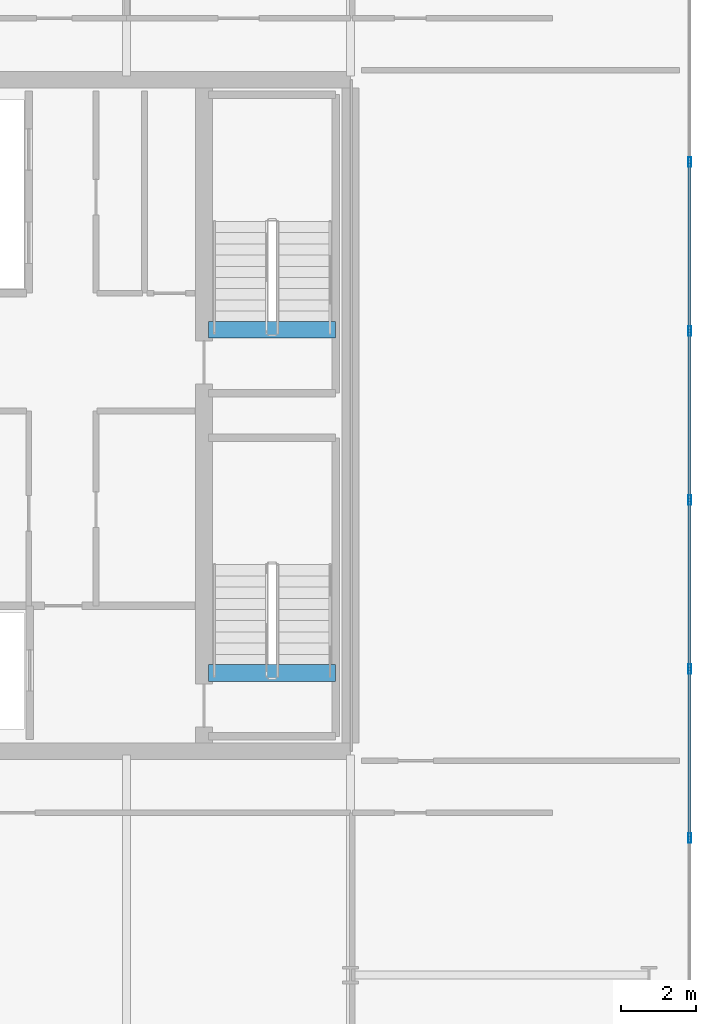
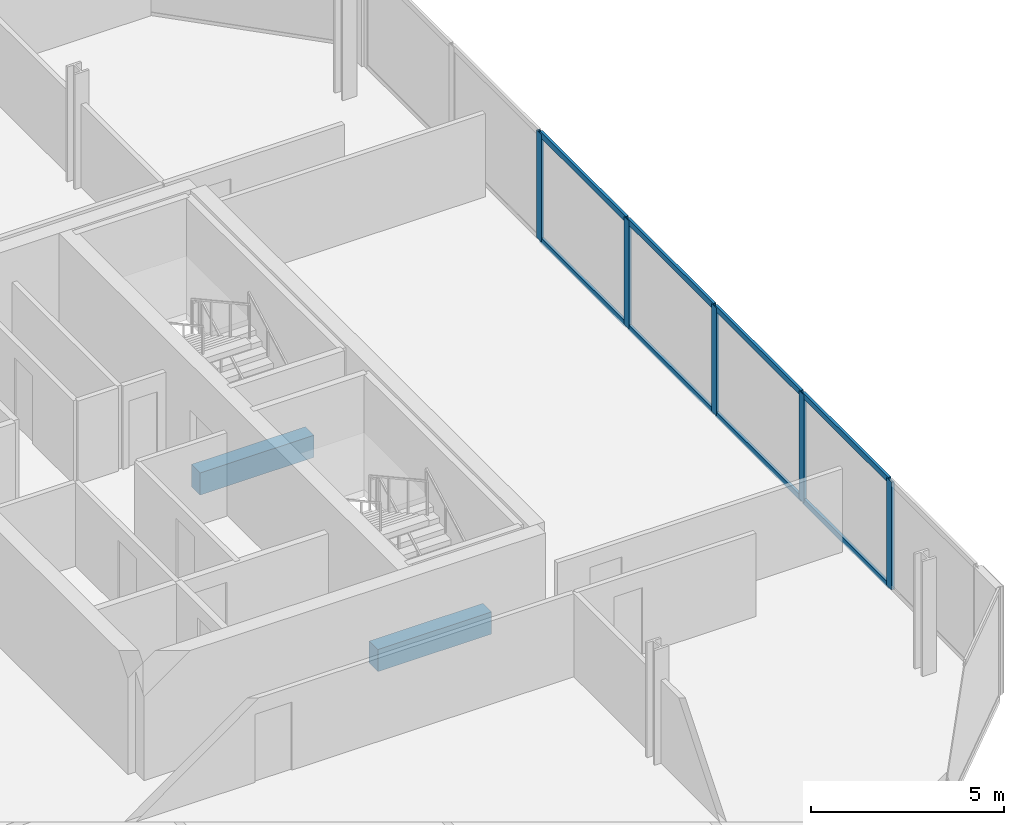
# One storey, part 8 of 17: 13 members, 2 beams, 1 element without a shape of its own.
"""IFC4 building model written with IfcOpenShell, lengths in metres."""

import ifcopenshell
import ifcopenshell.guid

model = None  # the IFC model being written
_history = None  # IfcOwnerHistory: only IFC2X3 demands one
_inside = {}  # id of a spatial element -> (the spatial element, [elements in it])
_under = {}  # id of a project, library or spatial element -> (it, [spatial elements below it])
_declared = {}  # id of a project -> (the project, [libraries it declares])
_typed = {}  # id of a type object -> (the type object, [elements of that type])
_made_of = {}  # id of a material, layer set ... -> (it, [elements and type objects made of it])


def new_model(schema):
    """Start an empty IFC model of exactly this schema.

    Asked for "IFC4X3", IfcOpenShell would pick the latest addendum, in which some entities
    have other attributes; the version numbers below select the first issue.
    IFC2X3 requires an IfcOwnerHistory on every rooted entity: one is made here for all.
    """
    global model, _history
    if schema == "IFC4X3":
        model = ifcopenshell.file(schema_version=(4, 3, 0, 0))
    else:
        model = ifcopenshell.file(schema=schema)
    _inside.clear()
    _under.clear()
    _declared.clear()
    _typed.clear()
    _made_of.clear()
    _history = None
    if model.schema == "IFC2X3":
        org = make("IfcOrganization", Name="unknown")
        user = make(
            "IfcPersonAndOrganization",
            ThePerson=make("IfcPerson", FamilyName="unknown"),
            TheOrganization=org,
        )
        app = make(
            "IfcApplication",
            ApplicationDeveloper=org,
            Version="unknown",
            ApplicationFullName="unknown",
            ApplicationIdentifier="unknown",
        )
        _history = make(
            "IfcOwnerHistory",
            OwningUser=user,
            OwningApplication=app,
            ChangeAction="ADDED",
            CreationDate=0,
        )
    return model


def make(cls, **values):
    """One entity of the class cls with the attributes given. An attribute that is None is left unset."""
    return model.create_entity(
        cls, **{name: value for name, value in values.items() if value is not None}
    )


def rooted(cls, **values):
    """An entity with a GlobalId (a new one), such as an element, a storey or a relation."""
    return make(cls, GlobalId=ifcopenshell.guid.new(), OwnerHistory=_history, **values)


def si_unit(unit_type, name, prefix=None):
    """IfcSIUnit, for example si_unit("LENGTHUNIT", "METRE", prefix="MILLI")."""
    return make("IfcSIUnit", UnitType=unit_type, Prefix=prefix, Name=name)


def assignment(units):
    """IfcUnitAssignment: the units of a project."""
    return None if units is None else make("IfcUnitAssignment", Units=units)


def point(xyz):
    """IfcCartesianPoint."""
    return None if xyz is None else make("IfcCartesianPoint", Coordinates=xyz)


def direction(xyz):
    """IfcDirection."""
    return None if xyz is None else make("IfcDirection", DirectionRatios=xyz)


def frame(location, z_axis=None, x_axis=None):
    """IfcAxis2Placement3D, a coordinate frame: its origin and axes. An axis left out is left unset."""
    return make(
        "IfcAxis2Placement3D",
        Location=point(location),
        Axis=direction(z_axis),
        RefDirection=direction(x_axis),
    )


def frame_2d(location, x_axis=None):
    """IfcAxis2Placement2D, a coordinate frame in the plane: its origin and x axis."""
    return make(
        "IfcAxis2Placement2D", Location=point(location), RefDirection=direction(x_axis)
    )


def origin():
    """The frame at (0, 0, 0) with its axes left unset."""
    return frame((0.0, 0.0, 0.0))


def origin_2d():
    """The frame at (0, 0) in the plane with its x axis left unset."""
    return frame_2d((0.0, 0.0))


def place(relative_to, where):
    """IfcLocalPlacement: puts the frame where relative to a parent placement (None: the world)."""
    return make(
        "IfcLocalPlacement", PlacementRelTo=relative_to, RelativePlacement=where
    )


def context(
    kind, dimensions, precision=None, world=None, true_north=None, identifier=None
):
    """IfcGeometricRepresentationContext, for example the 3D "Model" context."""
    return make(
        "IfcGeometricRepresentationContext",
        ContextIdentifier=identifier,
        ContextType=kind,
        CoordinateSpaceDimension=dimensions,
        Precision=precision,
        WorldCoordinateSystem=world,
        TrueNorth=true_north,
    )


def subcontext(parent, identifier, kind, view, scale=None):
    """IfcGeometricRepresentationSubContext, for example "Body" below "Model"."""
    return make(
        "IfcGeometricRepresentationSubContext",
        ContextIdentifier=identifier,
        ContextType=kind,
        ParentContext=parent,
        TargetScale=scale,
        TargetView=view,
    )


def project(units=None, contexts=None):
    """IfcProject with its units and contexts."""
    return rooted(
        "IfcProject",
        Name="project",
        RepresentationContexts=contexts,
        UnitsInContext=assignment(units),
    )


def spatial(cls, under=None, at=None, **own):
    """A site, building, storey or space (cls), placed at a placement, below another one or the project."""
    s = rooted(cls, ObjectPlacement=at, **own)
    if under is not None:
        _under.setdefault(under.id(), (under, []))[1].append(s)
    return s


def profile(cls, at=None, kind="AREA", **sizes):
    """A parametric profile (cls). Its sizes go by their IFC names, for example OverallWidth=200.0."""
    return make(cls, ProfileType=kind, Position=at, **sizes)


def rectangle(**sizes):
    """IfcRectangleProfileDef."""
    return profile("IfcRectangleProfileDef", **sizes)


def hollow_rectangle(**sizes):
    """IfcRectangleHollowProfileDef."""
    return profile("IfcRectangleHollowProfileDef", **sizes)


def extrude(swept, where, along, depth):
    """IfcExtrudedAreaSolid: the profile swept, set in the frame where, extruded along a direction by depth."""
    return make(
        "IfcExtrudedAreaSolid",
        SweptArea=swept,
        Position=where,
        ExtrudedDirection=direction(along),
        Depth=depth,
    )


def shape(context_of_items, identifier, shape_type, items):
    """IfcShapeRepresentation: the items that make up one representation, for example the "Body"."""
    return make(
        "IfcShapeRepresentation",
        ContextOfItems=context_of_items,
        RepresentationIdentifier=identifier,
        RepresentationType=shape_type,
        Items=items,
    )


def material(Name=None, Category=None):
    """IfcMaterial."""
    return make("IfcMaterial", Name=Name, Category=Category)


def layer(
    of_material, thickness, ventilated=None, Name=None, Category=None, Priority=None
):
    """IfcMaterialLayer: one layer of a wall or slab, of a material (None: an air gap)."""
    return make(
        "IfcMaterialLayer",
        Material=of_material,
        LayerThickness=thickness,
        IsVentilated=ventilated,
        Name=Name,
        Category=Category,
        Priority=Priority,
    )


def layer_set(layers, Name=None):
    """IfcMaterialLayerSet."""
    return make("IfcMaterialLayerSet", MaterialLayers=layers, LayerSetName=Name)


def material_profile(
    of_material, cross_section, Name=None, Category=None, Priority=None
):
    """IfcMaterialProfile: a cross section and its material."""
    return make(
        "IfcMaterialProfile",
        Name=Name,
        Material=of_material,
        Profile=cross_section,
        Priority=Priority,
        Category=Category,
    )


def profile_set(profiles, Name=None, composite=None):
    """IfcMaterialProfileSet."""
    return make(
        "IfcMaterialProfileSet",
        Name=Name,
        MaterialProfiles=profiles,
        CompositeProfile=composite,
    )


def made_of(thing, what):
    """Note that an element or type object is made of a material, layer set ...; save() writes the relation."""
    if what is not None:
        _made_of.setdefault(what.id(), (what, []))[1].append(thing)
    return thing


def type_object(cls, material=None, **own):
    """A type object (cls), such as IfcWallType, which elements share."""
    return made_of(rooted(cls, **own), material)


def element(
    cls,
    number,
    at=None,
    inside=None,
    cuts=None,
    type_object=None,
    material=None,
    context=None,
    identifier="Body",
    shape_type=None,
    held_by="IfcProductDefinitionShape",
    body=None,
    shapes=None,
    **own,
):
    """One element of the class cls, such as IfcWall. Its Tag is "e" and its number.

    at: its placement. inside: the storey or other place that contains it. cuts: it is an
    opening in that element (IfcRelVoidsElement). A single representation is given by context,
    identifier, shape_type and body (its items); several are given by shapes. held_by: the class
    of the entity that holds the representations. save() writes the other relations.
    """
    e = rooted(cls, Tag="e%d" % number, ObjectPlacement=at, **own)
    if body is not None:
        shapes = [shape(context, identifier, shape_type, body)]
    if shapes is not None:
        e.Representation = make(held_by, Representations=shapes)
    if inside is not None:
        _inside.setdefault(inside.id(), (inside, []))[1].append(e)
    if cuts is not None:
        rooted(
            "IfcRelVoidsElement", RelatingBuildingElement=cuts, RelatedOpeningElement=e
        )
    if type_object is not None:
        _typed.setdefault(type_object.id(), (type_object, []))[1].append(e)
    return made_of(e, material)


def aggregate(whole, parts):
    """IfcRelAggregates: a whole, such as a stair, and the parts it consists of."""
    return rooted("IfcRelAggregates", RelatingObject=whole, RelatedObjects=parts)


def save(model, path):
    """Write the relations noted so far, then the file.

    IfcRelAggregates (storeys below a building ...), IfcRelContainedInSpatialStructure (elements
    in a storey), IfcRelDefinesByType, IfcRelAssociatesMaterial and IfcRelDeclares: one each for
    every whole, place, type object, material and project.
    """
    for whole, parts in _under.values():
        aggregate(whole, parts)
    for where, things in _inside.values():
        rooted(
            "IfcRelContainedInSpatialStructure",
            RelatedElements=things,
            RelatingStructure=where,
        )
    for kind, things in _typed.values():
        rooted("IfcRelDefinesByType", RelatedObjects=things, RelatingType=kind)
    for what, things in _made_of.values():
        rooted("IfcRelAssociatesMaterial", RelatedObjects=things, RelatingMaterial=what)
    for by, libraries in _declared.values():
        rooted("IfcRelDeclares", RelatingContext=by, RelatedDefinitions=libraries)
    model.write(path)


model = new_model("IFC4")

# Units and contexts
model_context = context("Model", 3, precision=1e-05, world=origin(), true_north=direction((0.0, 1.0)))
body_context = subcontext(model_context, "Body", "Model", "MODEL_VIEW")
ifc_project = project(units=[si_unit("LENGTHUNIT", "METRE"), si_unit("AREAUNIT", "SQUARE_METRE"), si_unit("VOLUMEUNIT", "CUBIC_METRE"), si_unit("PLANEANGLEUNIT", "RADIAN"), si_unit("MASSUNIT", "GRAM", prefix="KILO")], contexts=[model_context])

# Site, building, storey
site_placement = place(None, origin())
site = spatial("IfcSite", under=ifc_project, at=site_placement, CompositionType="ELEMENT")
building_placement = place(site_placement, origin())
building = spatial("IfcBuilding", under=site, at=building_placement, Name="Tanjung Sevakor Pilgrim Tower", CompositionType="ELEMENT")
storey_placement = place(building_placement, frame((0.0, 0.0, 264.330078125)))
storey = spatial("IfcBuildingStorey", under=building, at=storey_placement, Name="L74", CompositionType="ELEMENT", Elevation=264.330078125)

# Beams
ifc_material_1 = material(Name="Concrete C60/75", Category="concrete")
ifc_material_profile_1 = material_profile(ifc_material_1, rectangle(XDim=0.449951171875, YDim=0.699951171875, at=origin_2d()))
ifc_profile_set_1 = profile_set([ifc_material_profile_1], Name="Concrete C60/75")
beam_type = type_object("IfcBeamType", Name="BM-B-LN3-RC-BM_450x700", PredefinedType="LINTEL", material=ifc_profile_set_1)
for number, where, z_axis, x_axis, name in (
    (1, (86.199951171875, 26.699951171875, -0.35009765625), (1.0, 0.0, 0.0), (0.0, 1.0, 0.0), "L74 TS-E1 Stair Threshold Beam"),
    (2, (86.199951171875, 35.89990234375, -0.35009765625), (1.0, 0.0, 0.0), (0.0, 1.0, 0.0), "L74 TS-E2 Stair Threshold Beam"),
):
    element("IfcBeam", number, at=place(storey_placement, frame(where, z_axis=z_axis, x_axis=x_axis)), inside=storey, type_object=beam_type, Name=name, PredefinedType="LINTEL", context=body_context, shape_type="SweptSolid", body=[
        extrude(rectangle(XDim=0.449951171875, YDim=0.699951171875, at=origin_2d()), origin(), (0.0, 0.0, 1.0), 3.400146484375),
    ])

# Curtain wall, members
ifc_material_2 = material(Name="Aluminium 6063-T6 and Low-E Glass", Category="aluminium")
ifc_layer = layer(ifc_material_2, 0.219970703125)
ifc_layer_set = layer_set([ifc_layer], Name="CW-SYS-CRNE")
curtain_wall_type = type_object("IfcCurtainWallType", Name="CW-SYS-CRNE", PredefinedType="NOTDEFINED", material=ifc_layer_set)
curtain_wall_placement = place(storey_placement, origin())
curtain_wall = element("IfcCurtainWall", 3, at=curtain_wall_placement, inside=storey, type_object=curtain_wall_type, Name="L74 Curtain Wall CW-CRN-L74-EAST-2-1", PredefinedType="NOTDEFINED")
ifc_material_3 = material(Name="Aluminium 6063-T6", Category="aluminium")
ifc_material_profile_2 = material_profile(ifc_material_3, hollow_rectangle(XDim=0.080078125, YDim=0.260009765625, WallThickness=0.0048828125, at=origin_2d()))
ifc_profile_set_2 = profile_set([ifc_material_profile_2], Name="Aluminium 6063-T6")
member_type_1 = type_object("IfcMemberType", Name="TYPE-CWM-3", PredefinedType="MULLION", material=ifc_profile_set_2)
member_1_placement = place(storey_placement, frame((99.090087890625, 22.275390625, 0.0), z_axis=(0.0, 0.0, 1.0), x_axis=(-1.0, 0.0, 0.0)))
member_1 = element("IfcMember", 4, at=member_1_placement, type_object=member_type_1, Name="CW-CRE mullion 2", PredefinedType="MULLION", context=body_context, shape_type="SweptSolid", body=[
    extrude(hollow_rectangle(XDim=0.080078125, YDim=0.260009765625, WallThickness=0.0048828125, at=origin_2d()), origin(), (0.0, 0.0, 1.0), 3.409912109375),
])
member_2_placement = place(storey_placement, frame((99.090087890625, 26.80517578125, 0.0), z_axis=(0.0, 0.0, 1.0), x_axis=(-1.0, 0.0, 0.0)))
member_2 = element("IfcMember", 5, at=member_2_placement, type_object=member_type_1, Name="CW-CRE mullion 3", PredefinedType="MULLION", context=body_context, shape_type="SweptSolid", body=[
    extrude(hollow_rectangle(XDim=0.080078125, YDim=0.260009765625, WallThickness=0.0048828125, at=origin_2d()), origin(), (0.0, 0.0, 1.0), 3.409912109375),
])
member_3_placement = place(storey_placement, frame((99.090087890625, 31.335205078125, 0.0), z_axis=(0.0, 0.0, 1.0), x_axis=(-1.0, 0.0, 0.0)))
member_3 = element("IfcMember", 6, at=member_3_placement, type_object=member_type_1, Name="CW-CRE mullion 4", PredefinedType="MULLION", context=body_context, shape_type="SweptSolid", body=[
    extrude(hollow_rectangle(XDim=0.080078125, YDim=0.260009765625, WallThickness=0.0048828125, at=origin_2d()), origin(), (0.0, 0.0, 1.0), 3.409912109375),
])
member_4_placement = place(storey_placement, frame((99.090087890625, 35.864990234375, 0.0), z_axis=(0.0, 0.0, 1.0), x_axis=(-1.0, 0.0, 0.0)))
member_4 = element("IfcMember", 7, at=member_4_placement, type_object=member_type_1, Name="CW-CRE mullion 5", PredefinedType="MULLION", context=body_context, shape_type="SweptSolid", body=[
    extrude(hollow_rectangle(XDim=0.080078125, YDim=0.260009765625, WallThickness=0.0048828125, at=origin_2d()), origin(), (0.0, 0.0, 1.0), 3.409912109375),
])
member_5_placement = place(storey_placement, frame((99.090087890625, 40.394775390625, 0.0), z_axis=(0.0, 0.0, 1.0), x_axis=(-1.0, 0.0, 0.0)))
member_5 = element("IfcMember", 8, at=member_5_placement, type_object=member_type_1, Name="CW-CRE mullion 6", PredefinedType="MULLION", context=body_context, shape_type="SweptSolid", body=[
    extrude(hollow_rectangle(XDim=0.080078125, YDim=0.260009765625, WallThickness=0.0048828125, at=origin_2d()), origin(), (0.0, 0.0, 1.0), 3.409912109375),
])
ifc_material_4 = material(Name="Aluminium 6063-T6", Category="aluminium")
ifc_material_profile_3 = material_profile(ifc_material_4, hollow_rectangle(XDim=0.080078125, YDim=0.179931640625, WallThickness=0.0048828125, at=origin_2d()))
ifc_profile_set_3 = profile_set([ifc_material_profile_3], Name="Aluminium 6063-T6")
member_type_2 = type_object("IfcMemberType", Name="TYPE-CWT-3", PredefinedType="USERDEFINED", material=ifc_profile_set_3)
member_6_placement = place(storey_placement, frame((99.090087890625, 22.3154296875, 0.0400390625), z_axis=(0.0, 1.0, 0.0), x_axis=(-1.0, 0.0, 0.0)))
member_6 = element("IfcMember", 9, at=member_6_placement, type_object=member_type_2, Name="CW-CRE transom 2.1", ObjectType="TRANSOM", PredefinedType="USERDEFINED", context=body_context, shape_type="SweptSolid", body=[
    extrude(hollow_rectangle(XDim=0.080078125, YDim=0.179931640625, WallThickness=0.0048828125, at=origin_2d()), origin(), (0.0, 0.0, 1.0), 4.44970703125),
])
member_7_placement = place(storey_placement, frame((99.090087890625, 22.3154296875, 3.369873046875), z_axis=(0.0, 1.0, 0.0), x_axis=(-1.0, 0.0, 0.0)))
member_7 = element("IfcMember", 10, at=member_7_placement, type_object=member_type_2, Name="CW-CRE transom 2.2", ObjectType="TRANSOM", PredefinedType="USERDEFINED", context=body_context, shape_type="SweptSolid", body=[
    extrude(hollow_rectangle(XDim=0.080078125, YDim=0.179931640625, WallThickness=0.0048828125, at=origin_2d()), origin(), (0.0, 0.0, 1.0), 4.44970703125),
])
member_8_placement = place(storey_placement, frame((99.090087890625, 26.84521484375, 0.0400390625), z_axis=(0.0, 1.0, 0.0), x_axis=(-1.0, 0.0, 0.0)))
member_8 = element("IfcMember", 11, at=member_8_placement, type_object=member_type_2, Name="CW-CRE transom 3.1", ObjectType="TRANSOM", PredefinedType="USERDEFINED", context=body_context, shape_type="SweptSolid", body=[
    extrude(hollow_rectangle(XDim=0.080078125, YDim=0.179931640625, WallThickness=0.0048828125, at=origin_2d()), origin(), (0.0, 0.0, 1.0), 4.449951171875),
])
member_9_placement = place(storey_placement, frame((99.090087890625, 26.84521484375, 3.369873046875), z_axis=(0.0, 1.0, 0.0), x_axis=(-1.0, 0.0, 0.0)))
member_9 = element("IfcMember", 12, at=member_9_placement, type_object=member_type_2, Name="CW-CRE transom 3.2", ObjectType="TRANSOM", PredefinedType="USERDEFINED", context=body_context, shape_type="SweptSolid", body=[
    extrude(hollow_rectangle(XDim=0.080078125, YDim=0.179931640625, WallThickness=0.0048828125, at=origin_2d()), origin(), (0.0, 0.0, 1.0), 4.449951171875),
])
member_10_placement = place(storey_placement, frame((99.090087890625, 31.375, 0.0400390625), z_axis=(0.0, 1.0, 0.0), x_axis=(-1.0, 0.0, 0.0)))
member_10 = element("IfcMember", 13, at=member_10_placement, type_object=member_type_2, Name="CW-CRE transom 4.1", ObjectType="TRANSOM", PredefinedType="USERDEFINED", context=body_context, shape_type="SweptSolid", body=[
    extrude(hollow_rectangle(XDim=0.080078125, YDim=0.179931640625, WallThickness=0.0048828125, at=origin_2d()), origin(), (0.0, 0.0, 1.0), 4.449951171875),
])
member_11_placement = place(storey_placement, frame((99.090087890625, 31.375, 3.369873046875), z_axis=(0.0, 1.0, 0.0), x_axis=(-1.0, 0.0, 0.0)))
member_11 = element("IfcMember", 14, at=member_11_placement, type_object=member_type_2, Name="CW-CRE transom 4.2", ObjectType="TRANSOM", PredefinedType="USERDEFINED", context=body_context, shape_type="SweptSolid", body=[
    extrude(hollow_rectangle(XDim=0.080078125, YDim=0.179931640625, WallThickness=0.0048828125, at=origin_2d()), origin(), (0.0, 0.0, 1.0), 4.449951171875),
])
member_12_placement = place(storey_placement, frame((99.090087890625, 35.905029296875, 0.0400390625), z_axis=(0.0, 1.0, 0.0), x_axis=(-1.0, 0.0, 0.0)))
member_12 = element("IfcMember", 15, at=member_12_placement, type_object=member_type_2, Name="CW-CRE transom 5.1", ObjectType="TRANSOM", PredefinedType="USERDEFINED", context=body_context, shape_type="SweptSolid", body=[
    extrude(hollow_rectangle(XDim=0.080078125, YDim=0.179931640625, WallThickness=0.0048828125, at=origin_2d()), origin(), (0.0, 0.0, 1.0), 4.44970703125),
])
member_13_placement = place(storey_placement, frame((99.090087890625, 35.905029296875, 3.369873046875), z_axis=(0.0, 1.0, 0.0), x_axis=(-1.0, 0.0, 0.0)))
member_13 = element("IfcMember", 16, at=member_13_placement, type_object=member_type_2, Name="CW-CRE transom 5.2", ObjectType="TRANSOM", PredefinedType="USERDEFINED", context=body_context, shape_type="SweptSolid", body=[
    extrude(hollow_rectangle(XDim=0.080078125, YDim=0.179931640625, WallThickness=0.0048828125, at=origin_2d()), origin(), (0.0, 0.0, 1.0), 4.44970703125),
])
aggregate(curtain_wall, [member_1, member_2, member_3, member_4, member_5, member_6, member_7, member_8, member_9, member_10, member_11, member_12, member_13])

save(model, "model.ifc")
